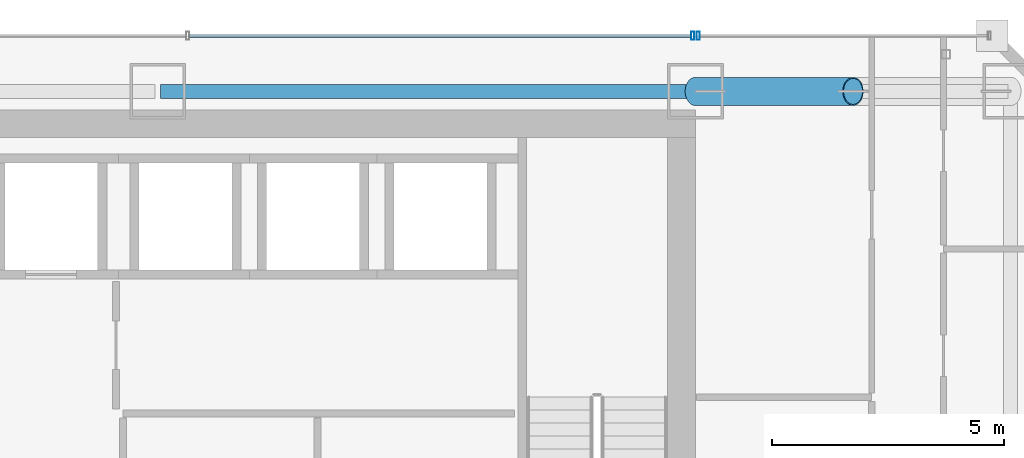
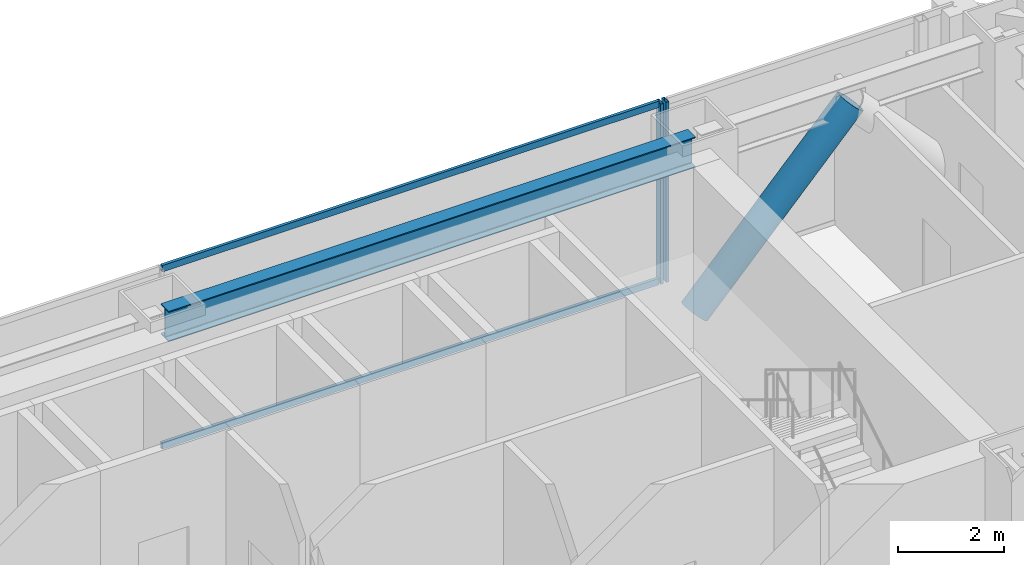
# One storey, part 32 of 47: 5 members, 1 beam, 2 elements without a shape of their own.
"""IFC4 building model written with IfcOpenShell, lengths in metres."""

from ifc_helpers import new_model, si_unit, direction, frame, origin, origin_2d, place, context, subcontext, project, spatial, hollow_rectangle, hollow_circle, i_section, extrude, material, material_profile, profile_set, type_object, element, aggregate, save


model = new_model("IFC4")

# Units and contexts
model_context = context("Model", 3, precision=1e-05, world=origin(), true_north=direction((0.0, 1.0)))
body_context = subcontext(model_context, "Body", "Model", "MODEL_VIEW")
ifc_project = project(units=[si_unit("LENGTHUNIT", "METRE"), si_unit("AREAUNIT", "SQUARE_METRE"), si_unit("VOLUMEUNIT", "CUBIC_METRE"), si_unit("PLANEANGLEUNIT", "RADIAN"), si_unit("MASSUNIT", "GRAM", prefix="KILO")], contexts=[model_context])

# Site, building, storey
site_placement = place(None, origin())
site = spatial("IfcSite", under=ifc_project, at=site_placement, CompositionType="ELEMENT")
building_placement = place(site_placement, origin())
building = spatial("IfcBuilding", under=site, at=building_placement, Name="Saevonmaru Cultural Tower", CompositionType="ELEMENT")
storey_placement = place(building_placement, frame((0.0, 0.0, 51.60009765625)))
storey = spatial("IfcBuildingStorey", under=building, at=storey_placement, Name="L10", CompositionType="ELEMENT", Elevation=51.60009765625)

# Beam
ifc_material_1 = material(Name="Steel SM355", Category="steel")
ifc_material_profile_1 = material_profile(ifc_material_1, i_section(OverallWidth=0.300048828125, OverallDepth=0.699951171875, WebThickness=0.012939453125, FlangeThickness=0.02392578125, FilletRadius=0.02587890625, at=origin_2d()), Name="H-700x300x13x24")
ifc_profile_set_1 = profile_set([ifc_material_profile_1], Name="Steel SM355")
beam_type = type_object("IfcBeamType", Name="BM-SP-H700", PredefinedType="SPANDREL", material=ifc_profile_set_1)
beam_placement = place(storey_placement, frame((34.860107421875, 54.800048828125, 3.7998046875), z_axis=(1.0, 0.0, 0.0), x_axis=(0.0, 1.0, 0.0)))
element("IfcBeam", 1, at=beam_placement, inside=storey, type_object=beam_type, Name="L10 North Spine Girder 4", PredefinedType="SPANDREL", context=body_context, shape_type="SweptSolid", body=[
    extrude(i_section(OverallWidth=0.300048828125, OverallDepth=0.699951171875, WebThickness=0.012939453125, FlangeThickness=0.02392578125, FilletRadius=0.02587890625, at=origin_2d()), origin(), (0.0, 0.0, 1.0), 11.47998046875),
])

# Member
ifc_material_2 = material(Name="Steel HSA600 (600 MPa)", Category="steel")
ifc_material_profile_2 = material_profile(ifc_material_2, hollow_circle(Radius=0.3046875, WallThickness=0.02490234375, at=origin_2d()), Name="CHS-609.6x25")
ifc_profile_set_2 = profile_set([ifc_material_profile_2], Name="Steel HSA600 (600 MPa)")
member_type_1 = type_object("IfcMemberType", Name="MB-PBR-CHS610", PredefinedType="BRACE", material=ifc_profile_set_2)
member_1_placement = place(storey_placement, frame((46.39990234375, 54.800048828125, 0.02001953125), z_axis=(0.681629141635, 0.0, 0.731697829212), x_axis=(0.0, 1.0, 0.0)))
element("IfcMember", 2, at=member_1_placement, inside=storey, type_object=member_type_1, Name="L10 Perimeter Braced-Tube Diagonal EN1", PredefinedType="BRACE", context=body_context, shape_type="SweptSolid", body=[
    extrude(hollow_circle(Radius=0.3046875, WallThickness=0.02490234375, at=origin_2d()), origin(), (0.0, 0.0, 1.0), 4.98828125),
])

# Curtain wall, member
ifc_material_3 = material(Name="Satin Bronze Anodised Aluminium", Category="aluminium")
curtain_wall_type = type_object("IfcCurtainWallType", Name="CW-TYP-A", PredefinedType="NOTDEFINED", material=ifc_material_3)
curtain_wall_1_placement = place(storey_placement, origin())
curtain_wall_1 = element("IfcCurtainWall", 3, at=curtain_wall_1_placement, inside=storey, type_object=curtain_wall_type, Name="L10 East Braced Bay Spandrel Curtain Wall E10A", PredefinedType="NOTDEFINED")
ifc_material_profile_3 = material_profile(ifc_material_3, hollow_rectangle(XDim=0.06494140625, YDim=0.179931640625, WallThickness=0.00390625, at=origin_2d()), Name="ALU-MULL-180x65x4")
ifc_profile_set_3 = profile_set([ifc_material_profile_3], Name="Satin Bronze Anodised Aluminium")
member_type_2 = type_object("IfcMemberType", Name="ML-CW-180x65", PredefinedType="MULLION", material=ifc_profile_set_3)
member_2_placement = place(storey_placement, frame((46.4599609375, 56.0, 0.0), z_axis=(0.0, 0.0, 1.0), x_axis=(-1.0, 0.0, 0.0)))
member_2 = element("IfcMember", 4, at=member_2_placement, type_object=member_type_2, Name="CW-TW-L10-E10A mullion 2", PredefinedType="MULLION", context=body_context, shape_type="SweptSolid", body=[
    extrude(hollow_rectangle(XDim=0.06494140625, YDim=0.179931640625, WallThickness=0.00390625, at=origin_2d()), origin(), (0.0, 0.0, 1.0), 4.14990234375),
])
aggregate(curtain_wall_1, [member_2])

# Curtain wall, members
curtain_wall_2_placement = place(storey_placement, origin())
curtain_wall_2 = element("IfcCurtainWall", 5, at=curtain_wall_2_placement, inside=storey, type_object=curtain_wall_type, Name="L10 North Spine Unitised Curtain Wall E10B", PredefinedType="NOTDEFINED")
member_3_placement = place(storey_placement, frame((46.340087890625, 56.0, 0.0), z_axis=(0.0, 0.0, 1.0), x_axis=(-1.0, 0.0, 0.0)))
member_3 = element("IfcMember", 6, at=member_3_placement, type_object=member_type_2, Name="CW-TW-L10-E10B mullion 1", PredefinedType="MULLION", context=body_context, shape_type="SweptSolid", body=[
    extrude(hollow_rectangle(XDim=0.06494140625, YDim=0.179931640625, WallThickness=0.00390625, at=origin_2d()), origin(), (0.0, 0.0, 1.0), 4.14990234375),
])
ifc_material_profile_4 = material_profile(ifc_material_3, hollow_rectangle(XDim=0.06494140625, YDim=0.14990234375, WallThickness=0.00390625, at=origin_2d()), Name="ALU-TRAN-150x65x4")
ifc_profile_set_4 = profile_set([ifc_material_profile_4], Name="Satin Bronze Anodised Aluminium")
member_type_3 = type_object("IfcMemberType", Name="TR-CW-150x65", PredefinedType="USERDEFINED", material=ifc_profile_set_4)
member_4_placement = place(storey_placement, frame((46.3076171875, 56.0, 0.032470703125), z_axis=(-1.0, 0.0, 0.0), x_axis=(0.0, -1.0, 0.0)))
member_4 = element("IfcMember", 7, at=member_4_placement, type_object=member_type_3, Name="CW-TW-L10-E10B transom 1.1", ObjectType="TRANSOM", PredefinedType="USERDEFINED", context=body_context, shape_type="SweptSolid", body=[
    extrude(hollow_rectangle(XDim=0.06494140625, YDim=0.14990234375, WallThickness=0.00390625, at=origin_2d()), origin(), (0.0, 0.0, 1.0), 10.828369140625),
])
member_5_placement = place(storey_placement, frame((46.3076171875, 56.0, 4.117431640625), z_axis=(-1.0, 0.0, 0.0), x_axis=(0.0, -1.0, 0.0)))
member_5 = element("IfcMember", 8, at=member_5_placement, type_object=member_type_3, Name="CW-TW-L10-E10B transom 1.2", ObjectType="TRANSOM", PredefinedType="USERDEFINED", context=body_context, shape_type="SweptSolid", body=[
    extrude(hollow_rectangle(XDim=0.06494140625, YDim=0.14990234375, WallThickness=0.00390625, at=origin_2d()), origin(), (0.0, 0.0, 1.0), 10.828369140625),
])
aggregate(curtain_wall_2, [member_3, member_4, member_5])

save(model, "model.ifc")
